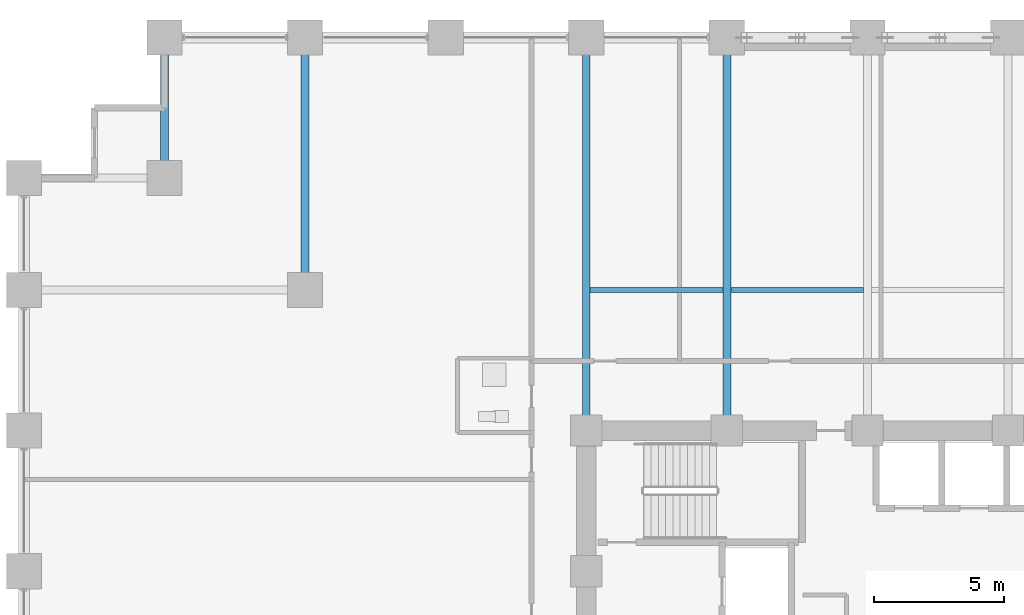
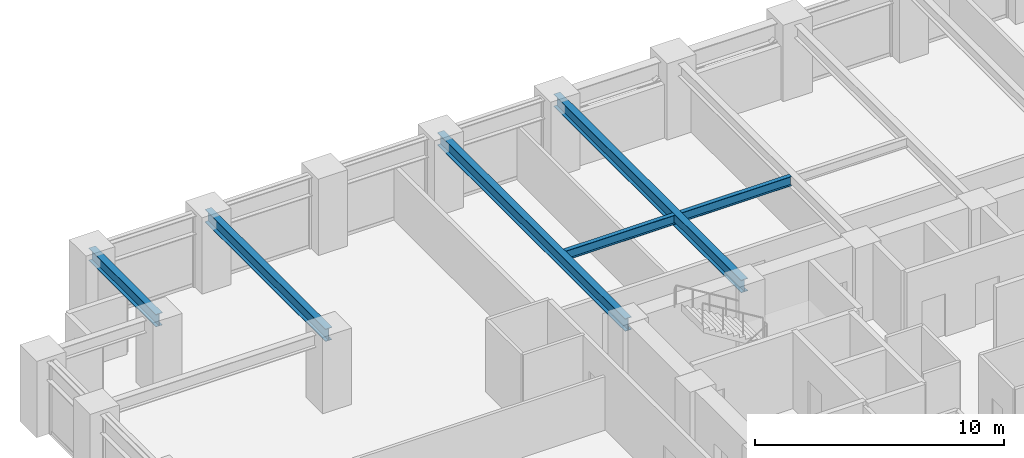
# One storey, part 11 of 25: 6 beams.
"""IFC4 building model written with IfcOpenShell, lengths in metres."""

from ifc_helpers import new_model, si_unit, direction, frame, origin, origin_2d, place, context, subcontext, project, spatial, i_section, extrude, material, material_profile, profile_set, type_object, element, save


model = new_model("IFC4")

# Units and contexts
model_context = context("Model", 3, precision=1e-05, world=origin(), true_north=direction((0.0, 1.0)))
body_context = subcontext(model_context, "Body", "Model", "MODEL_VIEW")
ifc_project = project(units=[si_unit("LENGTHUNIT", "METRE"), si_unit("AREAUNIT", "SQUARE_METRE"), si_unit("VOLUMEUNIT", "CUBIC_METRE"), si_unit("PLANEANGLEUNIT", "RADIAN"), si_unit("MASSUNIT", "GRAM", prefix="KILO")], contexts=[model_context])

# Site, building, storey
site_placement = place(None, origin())
site = spatial("IfcSite", under=ifc_project, at=site_placement, CompositionType="ELEMENT")
building_placement = place(site_placement, origin())
building = spatial("IfcBuilding", under=site, at=building_placement, Name="Surkhivell Harbour Commons", CompositionType="ELEMENT")
storey_placement = place(building_placement, frame((0.0, 0.0, 45.0)))
storey = spatial("IfcBuildingStorey", under=building, at=storey_placement, Name="L11", CompositionType="ELEMENT", Elevation=45.0)

# Beams
ifc_material = material(Name="Steel S355", Category="steel")
ifc_material_profile_1 = material_profile(ifc_material, i_section(OverallWidth=0.306884765625, OverallDepth=0.6201171875, WebThickness=0.01416015625, FlangeThickness=0.023681640625, at=origin_2d()), Name="UB610x305x179")
ifc_profile_set_1 = profile_set([ifc_material_profile_1], Name="Steel S355")
beam_type_1 = type_object("IfcBeamType", Name="BM-GRD-610A", PredefinedType="BEAM", material=ifc_profile_set_1)
beam_1_placement = place(storey_placement, frame((-27.0, 20.5, 3.260009765625), z_axis=(0.0, 1.0, 0.0), x_axis=(-1.0, 0.0, 0.0)))
element("IfcBeam", 1, at=beam_1_placement, inside=storey, type_object=beam_type_1, Name="L11 Floor Girder (-27.0,20.5)", PredefinedType="BEAM", context=body_context, shape_type="SweptSolid", body=[
    extrude(i_section(OverallWidth=0.306884765625, OverallDepth=0.6201171875, WebThickness=0.01416015625, FlangeThickness=0.023681640625, at=origin_2d()), origin(), (0.0, 0.0, 1.0), 5.39990234375),
])
beam_2_placement = place(storey_placement, frame((-21.60009765625, 16.199951171875, 3.260009765625), z_axis=(0.0, 1.0, 0.0), x_axis=(-1.0, 0.0, 0.0)))
element("IfcBeam", 2, at=beam_2_placement, inside=storey, type_object=beam_type_1, Name="L11 Floor Girder (-21.6,16.2)", PredefinedType="BEAM", context=body_context, shape_type="SweptSolid", body=[
    extrude(i_section(OverallWidth=0.306884765625, OverallDepth=0.6201171875, WebThickness=0.01416015625, FlangeThickness=0.023681640625, at=origin_2d()), origin(), (0.0, 0.0, 1.0), 9.699951171875),
])
for number, where, z_axis, x_axis, name in (
    (3, (-10.800048828125, 10.800048828125, 3.260009765625), (0.0, 1.0, 0.0), (-1.0, 0.0, 0.0), "L11 Floor Girder (-10.8,10.8)"),
    (4, (-5.39990234375, 10.800048828125, 3.260009765625), (0.0, 1.0, 0.0), (-1.0, 0.0, 0.0), "L11 Floor Girder (-5.4,10.8)"),
):
    element("IfcBeam", number, at=place(storey_placement, frame(where, z_axis=z_axis, x_axis=x_axis)), inside=storey, type_object=beam_type_1, Name=name, PredefinedType="BEAM", context=body_context, shape_type="SweptSolid", body=[
        extrude(i_section(OverallWidth=0.306884765625, OverallDepth=0.6201171875, WebThickness=0.01416015625, FlangeThickness=0.023681640625, at=origin_2d()), origin(), (0.0, 0.0, 1.0), 15.099853515625),
    ])
ifc_material_profile_2 = material_profile(ifc_material, i_section(OverallWidth=0.19189453125, OverallDepth=0.462890625, WebThickness=0.010498046875, FlangeThickness=0.017578125, at=origin_2d()), Name="UB457x191x89")
ifc_profile_set_2 = profile_set([ifc_material_profile_2], Name="Steel S355")
beam_type_2 = type_object("IfcBeamType", Name="BM-JST-457A", PredefinedType="JOIST", material=ifc_profile_set_2)
for number, where, z_axis, x_axis, name in (
    (5, (-10.6484375, 16.199951171875, 3.33837890625), (1.0, 0.0, 0.0), (0.0, 1.0, 0.0), "L11 North Composite Joist (-10.8)"),
    (6, (-5.24853515625, 16.199951171875, 3.33837890625), (1.0, 0.0, 0.0), (0.0, 1.0, 0.0), "L11 North Composite Joist (-5.4)"),
):
    element("IfcBeam", number, at=place(storey_placement, frame(where, z_axis=z_axis, x_axis=x_axis)), inside=storey, type_object=beam_type_2, Name=name, PredefinedType="JOIST", context=body_context, shape_type="SweptSolid", body=[
        extrude(i_section(OverallWidth=0.19189453125, OverallDepth=0.462890625, WebThickness=0.010498046875, FlangeThickness=0.017578125, at=origin_2d()), origin(), (0.0, 0.0, 1.0), 5.096923828125),
    ])

save(model, "model.ifc")
